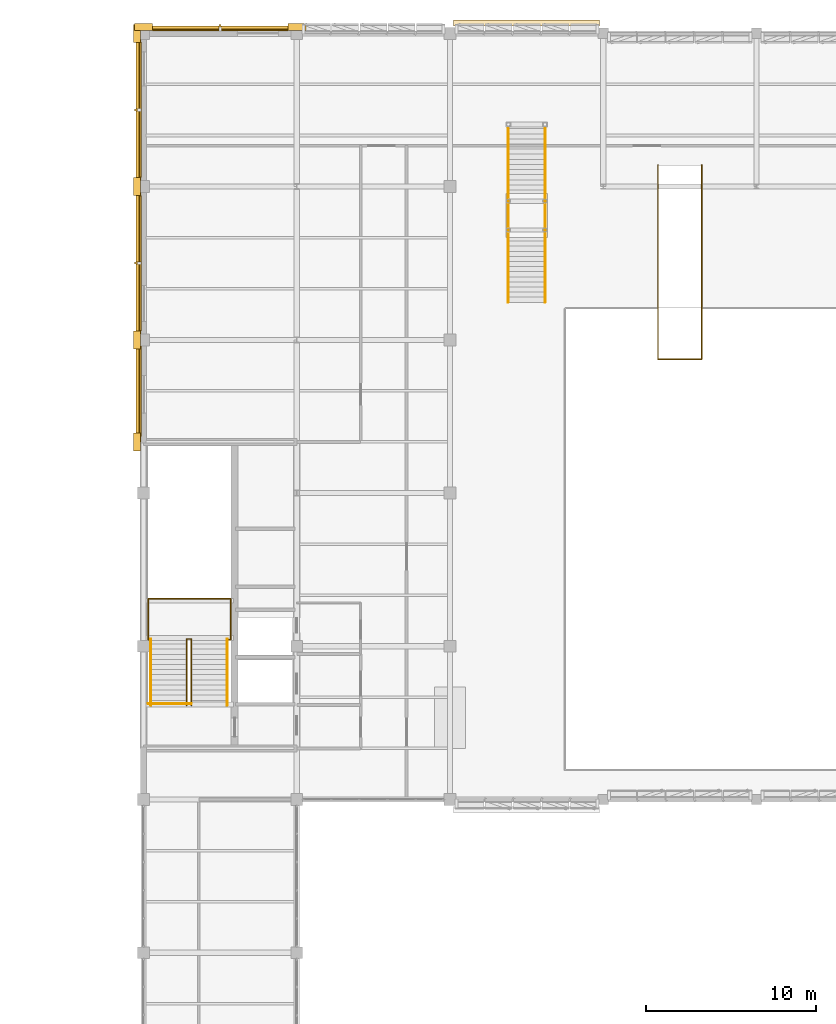
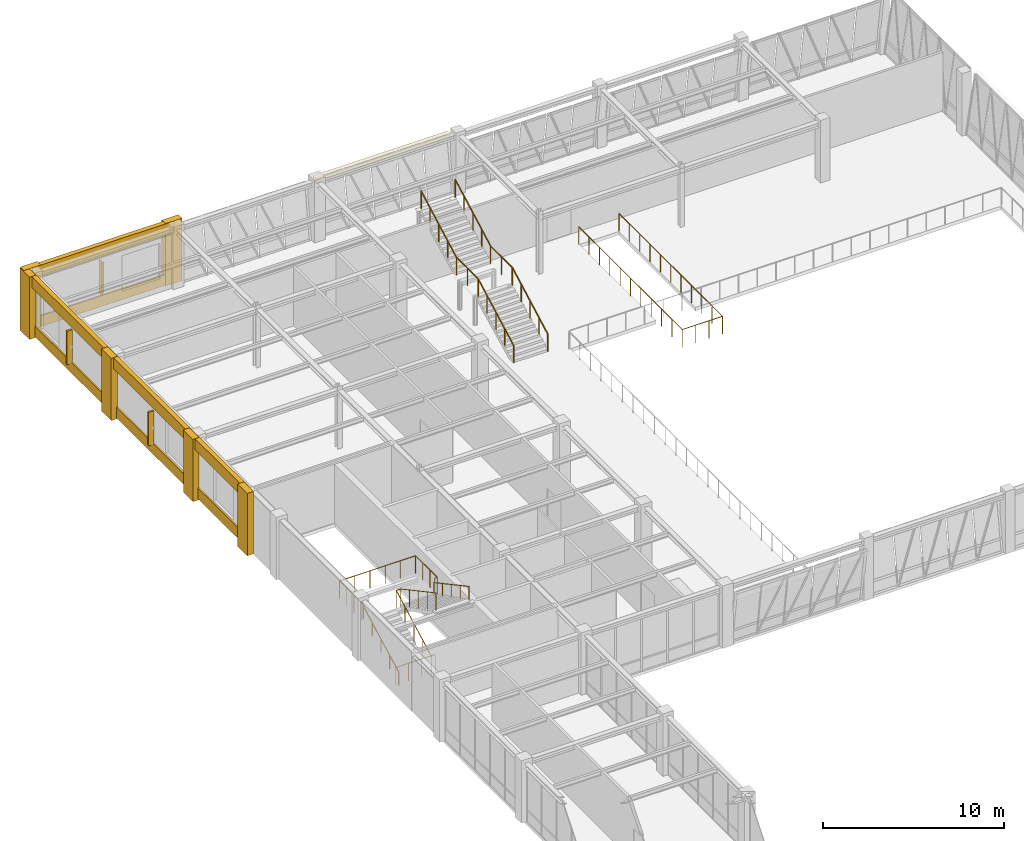
# One storey, part 106 of 108: 15 coverings, 8 railings, 3 shading devices.
"""IFC4 building model written with IfcOpenShell, lengths in metres."""

from ifc_helpers import new_model, si_unit, direction, frame, origin, origin_2d, place, context, subcontext, project, spatial, rectangle, circle, extrude, material, layer, layer_set, type_object, element, save


model = new_model("IFC4")

# Units and contexts
model_context = context("Model", 3, precision=1e-05, world=origin(), true_north=direction((0.0, 1.0)))
body_context = subcontext(model_context, "Body", "Model", "MODEL_VIEW")
ifc_project = project(units=[si_unit("LENGTHUNIT", "METRE"), si_unit("AREAUNIT", "SQUARE_METRE"), si_unit("VOLUMEUNIT", "CUBIC_METRE"), si_unit("PLANEANGLEUNIT", "RADIAN"), si_unit("MASSUNIT", "GRAM", prefix="KILO")], contexts=[model_context])

# Site, building, storey
site_placement = place(None, origin())
site = spatial("IfcSite", under=ifc_project, at=site_placement, CompositionType="ELEMENT")
building_placement = place(site_placement, origin())
building = spatial("IfcBuilding", under=site, at=building_placement, Name="Lykobir Media Centre", CompositionType="ELEMENT")
storey_placement = place(building_placement, frame((0.0, 0.0, 15.0)))
storey = spatial("IfcBuildingStorey", under=building, at=storey_placement, Name="L03", CompositionType="ELEMENT", Elevation=15.0)

# Coverings
ifc_material_1 = material(Name="Glazed Turquoise Terracotta", Category="masonry")
ifc_layer_1 = layer(ifc_material_1, 0.0400390625, Name="Glazed Turquoise Terracotta")
ifc_layer_set_1 = layer_set([ifc_layer_1], Name="Glazed Turquoise Terracotta")
covering_type_1 = type_object("IfcCoveringType", Name="CLD-TERR", PredefinedType="CLADDING", material=ifc_layer_set_1)
covering_1_placement = place(storey_placement, frame((31.5, 108.196044921875, 0.080078125), z_axis=(0.0, 0.0, 1.0), x_axis=(-1.0, 0.0, 0.0)))
element("IfcCovering", 1, at=covering_1_placement, inside=storey, type_object=covering_type_1, Name="Facade spandrel apron 501", PredefinedType="CLADDING", context=body_context, shape_type="SweptSolid", body=[
    extrude(rectangle(XDim=7.929931640625, YDim=0.10009765625, at=origin_2d()), origin(), (0.0, 0.0, 1.0), 0.719970703125),
])
covering_2_placement = place(storey_placement, frame((26.803955078125, 87.0, 0.080078125), z_axis=(0.0, 0.0, 1.0), x_axis=(0.0, -1.0, 0.0)))
element("IfcCovering", 2, at=covering_2_placement, inside=storey, type_object=covering_type_1, Name="Facade spandrel apron 506", PredefinedType="CLADDING", context=body_context, shape_type="SweptSolid", body=[
    extrude(rectangle(XDim=5.340087890625, YDim=0.10009765625, at=origin_2d()), origin(), (0.0, 0.0, 1.0), 0.719970703125),
])
for number, where, z_axis, x_axis, name in (
    (3, (26.803955078125, 94.5, 0.080078125), (0.0, 0.0, 1.0), (0.0, -1.0, 0.0), "Facade spandrel apron 509"),
    (4, (26.803955078125, 103.5, 0.080078125), (0.0, 0.0, 1.0), (0.0, -1.0, 0.0), "Facade spandrel apron 512"),
):
    element("IfcCovering", number, at=place(storey_placement, frame(where, z_axis=z_axis, x_axis=x_axis)), inside=storey, type_object=covering_type_1, Name=name, PredefinedType="CLADDING", context=body_context, shape_type="SweptSolid", body=[
        extrude(rectangle(XDim=7.929931640625, YDim=0.10009765625, at=origin_2d()), origin(), (0.0, 0.0, 1.0), 0.719970703125),
    ])
ifc_material_2 = material(Name="Honed Travertine Stone", Category="masonry")
ifc_layer_2 = layer(ifc_material_2, 0.050048828125, Name="Honed Travertine Stone")
ifc_layer_set_2 = layer_set([ifc_layer_2], Name="Honed Travertine Stone")
covering_type_2 = type_object("IfcCoveringType", Name="CLD-TRAV", PredefinedType="CLADDING", material=ifc_layer_set_2)
for number, where, z_axis, x_axis, name in (
    (5, (36.0, 108.3798828125, 0.0), (0.0, 0.0, 1.0), (-1.0, 0.0, 0.0), "Travertine column pier 498"),
    (6, (27.0, 108.3798828125, 0.0), (0.0, 0.0, 1.0), (-1.0, 0.0, 0.0), "Travertine column pier 499"),
):
    element("IfcCovering", number, at=place(storey_placement, frame(where, z_axis=z_axis, x_axis=x_axis)), inside=storey, type_object=covering_type_2, Name=name, PredefinedType="CLADDING", context=body_context, shape_type="SweptSolid", body=[
        extrude(rectangle(XDim=1.06005859375, YDim=0.39990234375, at=origin_2d()), origin(), (0.0, 0.0, 1.0), 4.199951171875),
    ])
covering_3_placement = place(storey_placement, frame((31.5, 108.300048828125, 3.43994140625), z_axis=(0.0, 0.0, 1.0), x_axis=(-1.0, 0.0, 0.0)))
element("IfcCovering", 7, at=covering_3_placement, inside=storey, type_object=covering_type_2, Name="Travertine spandrel stringcourse 500", PredefinedType="CLADDING", context=body_context, shape_type="SweptSolid", body=[
    extrude(rectangle(XDim=9.0, YDim=0.280029296875, at=origin_2d()), origin(), (0.0, 0.0, 1.0), 0.760009765625),
])
covering_4_placement = place(storey_placement, frame((49.5, 108.603759765625, 3.3251953125), z_axis=(0.0, 0.0, 1.0), x_axis=(-1.0, 0.0, 0.0)))
element("IfcCovering", 8, at=covering_4_placement, inside=storey, type_object=covering_type_2, Name="V6 diagonal crease rib 502", PredefinedType="CLADDING", context=body_context, shape_type="SweptSolid", body=[
    extrude(rectangle(XDim=8.580078125, YDim=0.360107421875, at=origin_2d()), origin(), (0.0, 0.0, 1.0), 0.340087890625),
])
for number, where, z_axis, x_axis, name in (
    (9, (26.6201171875, 90.0, 0.0), (0.0, 0.0, 1.0), (0.0, -1.0, 0.0), "Travertine column pier 503"),
    (10, (26.6201171875, 84.0, 0.0), (0.0, 0.0, 1.0), (0.0, -1.0, 0.0), "Travertine column pier 504"),
):
    element("IfcCovering", number, at=place(storey_placement, frame(where, z_axis=z_axis, x_axis=x_axis)), inside=storey, type_object=covering_type_2, Name=name, PredefinedType="CLADDING", context=body_context, shape_type="SweptSolid", body=[
        extrude(rectangle(XDim=1.06005859375, YDim=0.39990234375, at=origin_2d()), origin(), (0.0, 0.0, 1.0), 4.199951171875),
    ])
covering_5_placement = place(storey_placement, frame((26.699951171875, 87.0, 3.43994140625), z_axis=(0.0, 0.0, 1.0), x_axis=(0.0, -1.0, 0.0)))
element("IfcCovering", 11, at=covering_5_placement, inside=storey, type_object=covering_type_2, Name="Travertine spandrel stringcourse 505", PredefinedType="CLADDING", context=body_context, shape_type="SweptSolid", body=[
    extrude(rectangle(XDim=6.0, YDim=0.280029296875, at=origin_2d()), origin(), (0.0, 0.0, 1.0), 0.760009765625),
])
covering_6_placement = place(storey_placement, frame((26.6201171875, 99.0, 0.0), z_axis=(0.0, 0.0, 1.0), x_axis=(0.0, -1.0, 0.0)))
element("IfcCovering", 12, at=covering_6_placement, inside=storey, type_object=covering_type_2, Name="Travertine column pier 507", PredefinedType="CLADDING", context=body_context, shape_type="SweptSolid", body=[
    extrude(rectangle(XDim=1.06005859375, YDim=0.39990234375, at=origin_2d()), origin(), (0.0, 0.0, 1.0), 4.199951171875),
])
covering_7_placement = place(storey_placement, frame((26.699951171875, 94.5, 3.43994140625), z_axis=(0.0, 0.0, 1.0), x_axis=(0.0, -1.0, 0.0)))
element("IfcCovering", 13, at=covering_7_placement, inside=storey, type_object=covering_type_2, Name="Travertine spandrel stringcourse 508", PredefinedType="CLADDING", context=body_context, shape_type="SweptSolid", body=[
    extrude(rectangle(XDim=9.0, YDim=0.280029296875, at=origin_2d()), origin(), (0.0, 0.0, 1.0), 0.760009765625),
])
covering_8_placement = place(storey_placement, frame((26.6201171875, 108.0, 0.0), z_axis=(0.0, 0.0, 1.0), x_axis=(0.0, -1.0, 0.0)))
element("IfcCovering", 14, at=covering_8_placement, inside=storey, type_object=covering_type_2, Name="Travertine column pier 510", PredefinedType="CLADDING", context=body_context, shape_type="SweptSolid", body=[
    extrude(rectangle(XDim=1.06005859375, YDim=0.39990234375, at=origin_2d()), origin(), (0.0, 0.0, 1.0), 4.199951171875),
])
covering_9_placement = place(storey_placement, frame((26.699951171875, 103.5, 3.43994140625), z_axis=(0.0, 0.0, 1.0), x_axis=(0.0, -1.0, 0.0)))
element("IfcCovering", 15, at=covering_9_placement, inside=storey, type_object=covering_type_2, Name="Travertine spandrel stringcourse 511", PredefinedType="CLADDING", context=body_context, shape_type="SweptSolid", body=[
    extrude(rectangle(XDim=9.0, YDim=0.280029296875, at=origin_2d()), origin(), (0.0, 0.0, 1.0), 0.760009765625),
])

# Railings
ifc_material_3 = material(Name="Steel S355", Category="steel")
railing_type_1 = type_object("IfcRailingType", Name="GR-1200", PredefinedType="BALUSTRADE", material=ifc_material_3)
railing_1_placement = place(storey_placement, frame((27.27001953125, 68.6298828125, 0.0)))
element("IfcRailing", 16, at=railing_1_placement, inside=storey, type_object=railing_type_1, Name="ST-3 L03 arrival well guard", PredefinedType="BALUSTRADE", context=body_context, shape_type="SweptSolid", body=[
    extrude(circle(Radius=0.02392578125, at=origin_2d()), frame((0.0, 0.0, 1.17578125), z_axis=(1.0, 0.0, 0.0), x_axis=(0.0, 1.0, 0.0)), (0.0, 0.0, 1.0), 2.5400390625),
    extrude(circle(Radius=0.02099609375, at=origin_2d()), origin(), (0.0, 0.0, 1.0), 1.15185546875),
    extrude(circle(Radius=0.02099609375, at=origin_2d()), frame((0.8466796875, 0.0, 0.0)), (0.0, 0.0, 1.0), 1.15185546875),
    extrude(circle(Radius=0.02099609375, at=origin_2d()), frame((1.693359375, 0.0, 0.0)), (0.0, 0.0, 1.0), 1.15185546875),
    extrude(circle(Radius=0.02099609375, at=origin_2d()), frame((2.5400390625, 0.0, 0.0)), (0.0, 0.0, 1.0), 1.15185546875),
])
railing_2_placement = place(storey_placement, frame((29.530029296875, 68.530029296875, 0.0)))
element("IfcRailing", 17, at=railing_2_placement, inside=storey, type_object=railing_type_1, Name="ST-3 L03 inner well and slot guard", PredefinedType="BALUSTRADE", context=body_context, shape_type="SweptSolid", body=[
    extrude(circle(Radius=0.02392578125, at=origin_2d()), frame((0.0, 0.0, 1.17578125), z_axis=(0.0, 0.880456940745, 0.474126117709), x_axis=(-1.0, 0.0, 0.0)), (0.0, 0.0, 1.0), 4.429443359375),
    extrude(circle(Radius=0.02392578125, at=origin_2d()), frame((0.0, 3.89990234375, 3.27587890625), z_axis=(1.0, 0.0, 0.0), x_axis=(0.0, 1.0, 0.0)), (0.0, 0.0, 1.0), 0.280029296875),
    extrude(circle(Radius=0.02392578125, at=origin_2d()), frame((0.280029296875, 3.89990234375, 3.27587890625), z_axis=(0.0, -0.88047994924, 0.474083388219), x_axis=(1.0, 0.0, 0.0)), (0.0, 0.0, 1.0), 4.42919921875),
    extrude(circle(Radius=0.02099609375, at=origin_2d()), origin(), (0.0, 0.0, 1.0), 1.15185546875),
    extrude(circle(Radius=0.02099609375, at=origin_2d()), frame((0.0, 0.97509765625, 0.52490234375)), (0.0, 0.0, 1.0), 1.15185546875),
    extrude(circle(Radius=0.02099609375, at=origin_2d()), frame((0.0, 1.949951171875, 1.050048828125)), (0.0, 0.0, 1.0), 1.15185546875),
    extrude(circle(Radius=0.02099609375, at=origin_2d()), frame((0.0, 2.9248046875, 1.5751953125)), (0.0, 0.0, 1.0), 1.15185546875),
    extrude(circle(Radius=0.02099609375, at=origin_2d()), frame((0.0, 3.89990234375, 2.10009765625)), (0.0, 0.0, 1.0), 1.15185546875),
    extrude(circle(Radius=0.02099609375, at=origin_2d()), frame((0.280029296875, 3.89990234375, 2.10009765625)), (0.0, 0.0, 1.0), 1.15185546875),
    extrude(circle(Radius=0.02099609375, at=origin_2d()), frame((0.280029296875, 2.9248046875, 2.625)), (0.0, 0.0, 1.0), 1.15185546875),
    extrude(circle(Radius=0.02099609375, at=origin_2d()), frame((0.280029296875, 1.949951171875, 3.14990234375)), (0.0, 0.0, 1.0), 1.15185546875),
    extrude(circle(Radius=0.02099609375, at=origin_2d()), frame((0.280029296875, 0.97509765625, 3.675048828125)), (0.0, 0.0, 1.0), 1.15185546875),
    extrude(circle(Radius=0.02099609375, at=origin_2d()), frame((0.280029296875, 0.0, 4.199951171875)), (0.0, 0.0, 1.0), 1.15185546875),
])
railing_3_placement = place(storey_placement, frame((27.389892578125, 72.389892578125, 2.10009765625)))
element("IfcRailing", 18, at=railing_3_placement, inside=storey, type_object=railing_type_1, Name="ST-3 L03 half-landing perimeter guard", PredefinedType="BALUSTRADE", context=body_context, shape_type="SweptSolid", body=[
    extrude(circle(Radius=0.02392578125, at=origin_2d()), frame((0.0, 0.0, 1.17578125), z_axis=(-1.0, 0.0, 0.0), x_axis=(0.0, -1.0, 0.0)), (0.0, 0.0, 1.0), 0.10986328125),
    extrude(circle(Radius=0.02392578125, at=origin_2d()), frame((-0.10986328125, 0.0, 1.17578125), z_axis=(0.0, 1.0, 0.0), x_axis=(-1.0, 0.0, 0.0)), (0.0, 0.0, 1.0), 2.400146484375),
    extrude(circle(Radius=0.02392578125, at=origin_2d()), frame((-0.10986328125, 2.400146484375, 1.17578125), z_axis=(1.0, 0.0, 0.0), x_axis=(0.0, 1.0, 0.0)), (0.0, 0.0, 1.0), 4.840087890625),
    extrude(circle(Radius=0.02392578125, at=origin_2d()), frame((4.730224609375, 2.400146484375, 1.17578125), z_axis=(0.0, -1.0, 0.0), x_axis=(1.0, 0.0, 0.0)), (0.0, 0.0, 1.0), 2.400146484375),
    extrude(circle(Radius=0.02392578125, at=origin_2d()), frame((4.730224609375, 0.0, 1.17578125), z_axis=(-1.0, 0.0, 0.0), x_axis=(0.0, -1.0, 0.0)), (0.0, 0.0, 1.0), 0.170166015625),
    extrude(circle(Radius=0.02099609375, at=origin_2d()), origin(), (0.0, 0.0, 1.0), 1.15185546875),
    extrude(circle(Radius=0.02099609375, at=origin_2d()), frame((-0.10986328125, 0.0, 0.0)), (0.0, 0.0, 1.0), 1.15185546875),
    extrude(circle(Radius=0.02099609375, at=origin_2d()), frame((-0.10986328125, 0.800048828125, 0.0)), (0.0, 0.0, 1.0), 1.15185546875),
    extrude(circle(Radius=0.02099609375, at=origin_2d()), frame((-0.10986328125, 1.60009765625, 0.0)), (0.0, 0.0, 1.0), 1.15185546875),
    extrude(circle(Radius=0.02099609375, at=origin_2d()), frame((-0.10986328125, 2.400146484375, 0.0)), (0.0, 0.0, 1.0), 1.15185546875),
    extrude(circle(Radius=0.02099609375, at=origin_2d()), frame((0.858154296875, 2.400146484375, 0.0)), (0.0, 0.0, 1.0), 1.15185546875),
    extrude(circle(Radius=0.02099609375, at=origin_2d()), frame((1.826171875, 2.400146484375, 0.0)), (0.0, 0.0, 1.0), 1.15185546875),
    extrude(circle(Radius=0.02099609375, at=origin_2d()), frame((2.794189453125, 2.400146484375, 0.0)), (0.0, 0.0, 1.0), 1.15185546875),
    extrude(circle(Radius=0.02099609375, at=origin_2d()), frame((3.76220703125, 2.400146484375, 0.0)), (0.0, 0.0, 1.0), 1.15185546875),
    extrude(circle(Radius=0.02099609375, at=origin_2d()), frame((4.730224609375, 2.400146484375, 0.0)), (0.0, 0.0, 1.0), 1.15185546875),
    extrude(circle(Radius=0.02099609375, at=origin_2d()), frame((4.730224609375, 1.60009765625, 0.0)), (0.0, 0.0, 1.0), 1.15185546875),
    extrude(circle(Radius=0.02099609375, at=origin_2d()), frame((4.730224609375, 0.800048828125, 0.0)), (0.0, 0.0, 1.0), 1.15185546875),
    extrude(circle(Radius=0.02099609375, at=origin_2d()), frame((4.730224609375, 0.0, 0.0)), (0.0, 0.0, 1.0), 1.15185546875),
    extrude(circle(Radius=0.02099609375, at=origin_2d()), frame((4.56005859375, 0.0, 0.0)), (0.0, 0.0, 1.0), 1.15185546875),
])
railing_4_placement = place(storey_placement, frame((57.219970703125, 100.27001953125, 0.0)))
element("IfcRailing", 19, at=railing_4_placement, inside=storey, type_object=railing_type_1, Name="Valley stair 3 L03 well balustrade", PredefinedType="BALUSTRADE", context=body_context, shape_type="SweptSolid", body=[
    extrude(circle(Radius=0.02392578125, at=origin_2d()), frame((0.0, 0.0, 1.17578125), z_axis=(0.0, -1.0, 0.0), x_axis=(1.0, 0.0, 0.0)), (0.0, 0.0, 1.0), 11.409912109375),
    extrude(circle(Radius=0.02392578125, at=origin_2d()), frame((0.0, -11.409912109375, 1.17578125), z_axis=(1.0, 0.0, 0.0), x_axis=(0.0, 1.0, 0.0)), (0.0, 0.0, 1.0), 2.56005859375),
    extrude(circle(Radius=0.02392578125, at=origin_2d()), frame((2.56005859375, -11.409912109375, 1.17578125), z_axis=(0.0, 1.0, 0.0), x_axis=(-1.0, 0.0, 0.0)), (0.0, 0.0, 1.0), 11.409912109375),
    extrude(circle(Radius=0.02099609375, at=origin_2d()), origin(), (0.0, 0.0, 1.0), 1.15185546875),
    extrude(circle(Radius=0.02099609375, at=origin_2d()), frame((0.0, -1.14111328125, 0.0)), (0.0, 0.0, 1.0), 1.15185546875),
    extrude(circle(Radius=0.02099609375, at=origin_2d()), frame((0.0, -2.281982421875, 0.0)), (0.0, 0.0, 1.0), 1.15185546875),
    extrude(circle(Radius=0.02099609375, at=origin_2d()), frame((0.0, -3.4228515625, 0.0)), (0.0, 0.0, 1.0), 1.15185546875),
    extrude(circle(Radius=0.02099609375, at=origin_2d()), frame((0.0, -4.56396484375, 0.0)), (0.0, 0.0, 1.0), 1.15185546875),
    extrude(circle(Radius=0.02099609375, at=origin_2d()), frame((0.0, -5.705078125, 0.0)), (0.0, 0.0, 1.0), 1.15185546875),
    extrude(circle(Radius=0.02099609375, at=origin_2d()), frame((0.0, -6.845947265625, 0.0)), (0.0, 0.0, 1.0), 1.15185546875),
    extrude(circle(Radius=0.02099609375, at=origin_2d()), frame((0.0, -7.98681640625, 0.0)), (0.0, 0.0, 1.0), 1.15185546875),
    extrude(circle(Radius=0.02099609375, at=origin_2d()), frame((0.0, -9.1279296875, 0.0)), (0.0, 0.0, 1.0), 1.15185546875),
    extrude(circle(Radius=0.02099609375, at=origin_2d()), frame((0.0, -10.26904296875, 0.0)), (0.0, 0.0, 1.0), 1.15185546875),
    extrude(circle(Radius=0.02099609375, at=origin_2d()), frame((0.0, -11.409912109375, 0.0)), (0.0, 0.0, 1.0), 1.15185546875),
    extrude(circle(Radius=0.02099609375, at=origin_2d()), frame((0.853271484375, -11.409912109375, 0.0)), (0.0, 0.0, 1.0), 1.15185546875),
    extrude(circle(Radius=0.02099609375, at=origin_2d()), frame((1.706787109375, -11.409912109375, 0.0)), (0.0, 0.0, 1.0), 1.15185546875),
    extrude(circle(Radius=0.02099609375, at=origin_2d()), frame((2.56005859375, -11.409912109375, 0.0)), (0.0, 0.0, 1.0), 1.15185546875),
    extrude(circle(Radius=0.02099609375, at=origin_2d()), frame((2.56005859375, -10.26904296875, 0.0)), (0.0, 0.0, 1.0), 1.15185546875),
    extrude(circle(Radius=0.02099609375, at=origin_2d()), frame((2.56005859375, -9.1279296875, 0.0)), (0.0, 0.0, 1.0), 1.15185546875),
    extrude(circle(Radius=0.02099609375, at=origin_2d()), frame((2.56005859375, -7.98681640625, 0.0)), (0.0, 0.0, 1.0), 1.15185546875),
    extrude(circle(Radius=0.02099609375, at=origin_2d()), frame((2.56005859375, -6.845947265625, 0.0)), (0.0, 0.0, 1.0), 1.15185546875),
    extrude(circle(Radius=0.02099609375, at=origin_2d()), frame((2.56005859375, -5.705078125, 0.0)), (0.0, 0.0, 1.0), 1.15185546875),
    extrude(circle(Radius=0.02099609375, at=origin_2d()), frame((2.56005859375, -4.56396484375, 0.0)), (0.0, 0.0, 1.0), 1.15185546875),
    extrude(circle(Radius=0.02099609375, at=origin_2d()), frame((2.56005859375, -3.423095703125, 0.0)), (0.0, 0.0, 1.0), 1.15185546875),
    extrude(circle(Radius=0.02099609375, at=origin_2d()), frame((2.56005859375, -2.281982421875, 0.0)), (0.0, 0.0, 1.0), 1.15185546875),
    extrude(circle(Radius=0.02099609375, at=origin_2d()), frame((2.56005859375, -1.14111328125, 0.0)), (0.0, 0.0, 1.0), 1.15185546875),
    extrude(circle(Radius=0.02099609375, at=origin_2d()), frame((2.56005859375, 0.0, 0.0)), (0.0, 0.0, 1.0), 1.15185546875),
])
railing_5_placement = place(storey_placement, frame((48.4150390625, 92.199951171875, 0.0)))
element("IfcRailing", 20, at=railing_5_placement, inside=storey, type_object=railing_type_1, Name="Valley stair 4 balustrade", PredefinedType="BALUSTRADE", context=body_context, shape_type="SweptSolid", body=[
    extrude(circle(Radius=0.02392578125, at=origin_2d()), frame((0.0, 0.0, 1.17578125), z_axis=(0.0, 0.880469330154, 0.474103109733), x_axis=(-1.0, 0.0, 0.0)), (0.0, 0.0, 1.0), 4.4296875),
    extrude(circle(Radius=0.02392578125, at=origin_2d()), frame((0.0, 3.900146484375, 3.27587890625), z_axis=(0.0, 1.0, 0.0), x_axis=(-1.0, 0.0, 0.0)), (0.0, 0.0, 1.0), 2.39990234375),
    extrude(circle(Radius=0.02392578125, at=origin_2d()), frame((0.0, 6.300048828125, 3.27587890625), z_axis=(0.0, 0.88047994924, 0.474083388219), x_axis=(-1.0, 0.0, 0.0)), (0.0, 0.0, 1.0), 4.42919921875),
    extrude(circle(Radius=0.02099609375, at=origin_2d()), origin(), (0.0, 0.0, 1.0), 1.15185546875),
    extrude(circle(Radius=0.02099609375, at=origin_2d()), frame((0.0, 0.97509765625, 0.52490234375)), (0.0, 0.0, 1.0), 1.15185546875),
    extrude(circle(Radius=0.02099609375, at=origin_2d()), frame((0.0, 1.9501953125, 1.050048828125)), (0.0, 0.0, 1.0), 1.15185546875),
    extrude(circle(Radius=0.02099609375, at=origin_2d()), frame((0.0, 2.925048828125, 1.5751953125)), (0.0, 0.0, 1.0), 1.15185546875),
    extrude(circle(Radius=0.02099609375, at=origin_2d()), frame((0.0, 3.900146484375, 2.10009765625)), (0.0, 0.0, 1.0), 1.15185546875),
    extrude(circle(Radius=0.02099609375, at=origin_2d()), frame((0.0, 5.10009765625, 2.10009765625)), (0.0, 0.0, 1.0), 1.15185546875),
    extrude(circle(Radius=0.02099609375, at=origin_2d()), frame((0.0, 6.300048828125, 2.10009765625)), (0.0, 0.0, 1.0), 1.15185546875),
    extrude(circle(Radius=0.02099609375, at=origin_2d()), frame((0.0, 7.27490234375, 2.625)), (0.0, 0.0, 1.0), 1.15185546875),
    extrude(circle(Radius=0.02099609375, at=origin_2d()), frame((0.0, 8.25, 3.14990234375)), (0.0, 0.0, 1.0), 1.15185546875),
    extrude(circle(Radius=0.02099609375, at=origin_2d()), frame((0.0, 9.22509765625, 3.675048828125)), (0.0, 0.0, 1.0), 1.15185546875),
    extrude(circle(Radius=0.02099609375, at=origin_2d()), frame((0.0, 10.199951171875, 4.199951171875)), (0.0, 0.0, 1.0), 1.15185546875),
])
railing_6_placement = place(storey_placement, frame((50.5849609375, 92.199951171875, 0.0)))
element("IfcRailing", 21, at=railing_6_placement, inside=storey, type_object=railing_type_1, Name="Valley stair 4 balustrade", PredefinedType="BALUSTRADE", context=body_context, shape_type="SweptSolid", body=[
    extrude(circle(Radius=0.02392578125, at=origin_2d()), frame((0.0, 0.0, 1.17578125), z_axis=(0.0, 0.880469330154, 0.474103109733), x_axis=(-1.0, 0.0, 0.0)), (0.0, 0.0, 1.0), 4.4296875),
    extrude(circle(Radius=0.02392578125, at=origin_2d()), frame((0.0, 3.900146484375, 3.27587890625), z_axis=(0.0, 1.0, 0.0), x_axis=(-1.0, 0.0, 0.0)), (0.0, 0.0, 1.0), 2.39990234375),
    extrude(circle(Radius=0.02392578125, at=origin_2d()), frame((0.0, 6.300048828125, 3.27587890625), z_axis=(0.0, 0.88047994924, 0.474083388219), x_axis=(-1.0, 0.0, 0.0)), (0.0, 0.0, 1.0), 4.42919921875),
    extrude(circle(Radius=0.02099609375, at=origin_2d()), origin(), (0.0, 0.0, 1.0), 1.15185546875),
    extrude(circle(Radius=0.02099609375, at=origin_2d()), frame((0.0, 0.97509765625, 0.52490234375)), (0.0, 0.0, 1.0), 1.15185546875),
    extrude(circle(Radius=0.02099609375, at=origin_2d()), frame((0.0, 1.9501953125, 1.050048828125)), (0.0, 0.0, 1.0), 1.15185546875),
    extrude(circle(Radius=0.02099609375, at=origin_2d()), frame((0.0, 2.925048828125, 1.5751953125)), (0.0, 0.0, 1.0), 1.15185546875),
    extrude(circle(Radius=0.02099609375, at=origin_2d()), frame((0.0, 3.900146484375, 2.10009765625)), (0.0, 0.0, 1.0), 1.15185546875),
    extrude(circle(Radius=0.02099609375, at=origin_2d()), frame((0.0, 5.10009765625, 2.10009765625)), (0.0, 0.0, 1.0), 1.15185546875),
    extrude(circle(Radius=0.02099609375, at=origin_2d()), frame((0.0, 6.300048828125, 2.10009765625)), (0.0, 0.0, 1.0), 1.15185546875),
    extrude(circle(Radius=0.02099609375, at=origin_2d()), frame((0.0, 7.27490234375, 2.625)), (0.0, 0.0, 1.0), 1.15185546875),
    extrude(circle(Radius=0.02099609375, at=origin_2d()), frame((0.0, 8.25, 3.14990234375)), (0.0, 0.0, 1.0), 1.15185546875),
    extrude(circle(Radius=0.02099609375, at=origin_2d()), frame((0.0, 9.22509765625, 3.675048828125)), (0.0, 0.0, 1.0), 1.15185546875),
    extrude(circle(Radius=0.02099609375, at=origin_2d()), frame((0.0, 10.199951171875, 4.199951171875)), (0.0, 0.0, 1.0), 1.15185546875),
])
railing_type_2 = type_object("IfcRailingType", Name="HR-0900", PredefinedType="HANDRAIL", material=ifc_material_3)
railing_7_placement = place(storey_placement, frame((27.429931640625, 68.530029296875, 0.0)))
element("IfcRailing", 22, at=railing_7_placement, inside=storey, type_object=railing_type_2, Name="ST-3 L03 F1 wall handrail", PredefinedType="HANDRAIL", context=body_context, shape_type="SweptSolid", body=[
    extrude(circle(Radius=0.02392578125, at=origin_2d()), frame((0.0, 0.0, 0.8759765625), z_axis=(0.0, 0.880456940745, 0.474126117709), x_axis=(-1.0, 0.0, 0.0)), (0.0, 0.0, 1.0), 4.429443359375),
    extrude(circle(Radius=0.02099609375, at=origin_2d()), origin(), (0.0, 0.0, 1.0), 0.851806640625),
    extrude(circle(Radius=0.02099609375, at=origin_2d()), frame((0.0, 0.97509765625, 0.52490234375)), (0.0, 0.0, 1.0), 0.851806640625),
    extrude(circle(Radius=0.02099609375, at=origin_2d()), frame((0.0, 1.949951171875, 1.050048828125)), (0.0, 0.0, 1.0), 0.851806640625),
    extrude(circle(Radius=0.02099609375, at=origin_2d()), frame((0.0, 2.9248046875, 1.5751953125)), (0.0, 0.0, 1.0), 0.851806640625),
    extrude(circle(Radius=0.02099609375, at=origin_2d()), frame((0.0, 3.89990234375, 2.10009765625)), (0.0, 0.0, 1.0), 0.851806640625),
])
railing_8_placement = place(storey_placement, frame((31.909912109375, 72.429931640625, 2.10009765625)))
element("IfcRailing", 23, at=railing_8_placement, inside=storey, type_object=railing_type_2, Name="ST-3 L03 F2 wall handrail", PredefinedType="HANDRAIL", context=body_context, shape_type="SweptSolid", body=[
    extrude(circle(Radius=0.02392578125, at=origin_2d()), frame((0.0, 0.0, 0.8759765625), z_axis=(0.0, -0.88047994924, 0.474083388219), x_axis=(1.0, 0.0, 0.0)), (0.0, 0.0, 1.0), 4.42919921875),
    extrude(circle(Radius=0.02099609375, at=origin_2d()), origin(), (0.0, 0.0, 1.0), 0.851806640625),
    extrude(circle(Radius=0.02099609375, at=origin_2d()), frame((0.0, -0.97509765625, 0.52490234375)), (0.0, 0.0, 1.0), 0.851806640625),
    extrude(circle(Radius=0.02099609375, at=origin_2d()), frame((0.0, -1.949951171875, 1.0498046875)), (0.0, 0.0, 1.0), 0.851806640625),
    extrude(circle(Radius=0.02099609375, at=origin_2d()), frame((0.0, -2.9248046875, 1.574951171875)), (0.0, 0.0, 1.0), 0.851806640625),
    extrude(circle(Radius=0.02099609375, at=origin_2d()), frame((0.0, -3.89990234375, 2.099853515625)), (0.0, 0.0, 1.0), 0.851806640625),
])

# Shading devices
shading_device_type = type_object("IfcShadingDeviceType", Name="SHD-FIN", PredefinedType="USERDEFINED", material=ifc_material_1)
for number, where, z_axis, x_axis, name in (
    (24, (31.5, 108.35009765625, 0.72509765625), (0.0, 0.0, 1.0), (-1.0, 0.0, 0.0), "Terracotta shading fin 31"),
    (25, (26.64990234375, 94.5, 0.72509765625), (0.0, 0.0, 1.0), (0.0, -1.0, 0.0), "Terracotta shading fin 32"),
    (26, (26.64990234375, 103.5, 0.72509765625), (0.0, 0.0, 1.0), (0.0, -1.0, 0.0), "Terracotta shading fin 33"),
):
    element("IfcShadingDevice", number, at=place(storey_placement, frame(where, z_axis=z_axis, x_axis=x_axis)), inside=storey, type_object=shading_device_type, Name=name, ObjectType="FIN", PredefinedType="USERDEFINED", context=body_context, shape_type="SweptSolid", body=[
        extrude(rectangle(XDim=0.1201171875, YDim=0.35009765625, at=origin_2d()), origin(), (0.0, 0.0, 1.0), 2.25),
    ])

save(model, "model.ifc")
